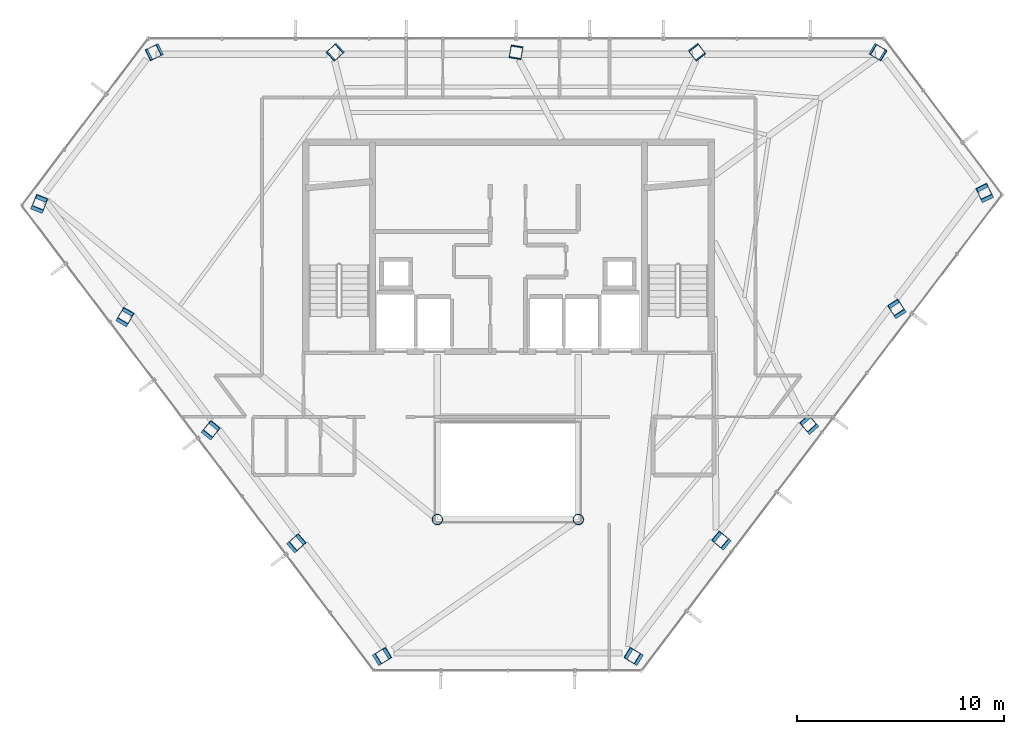
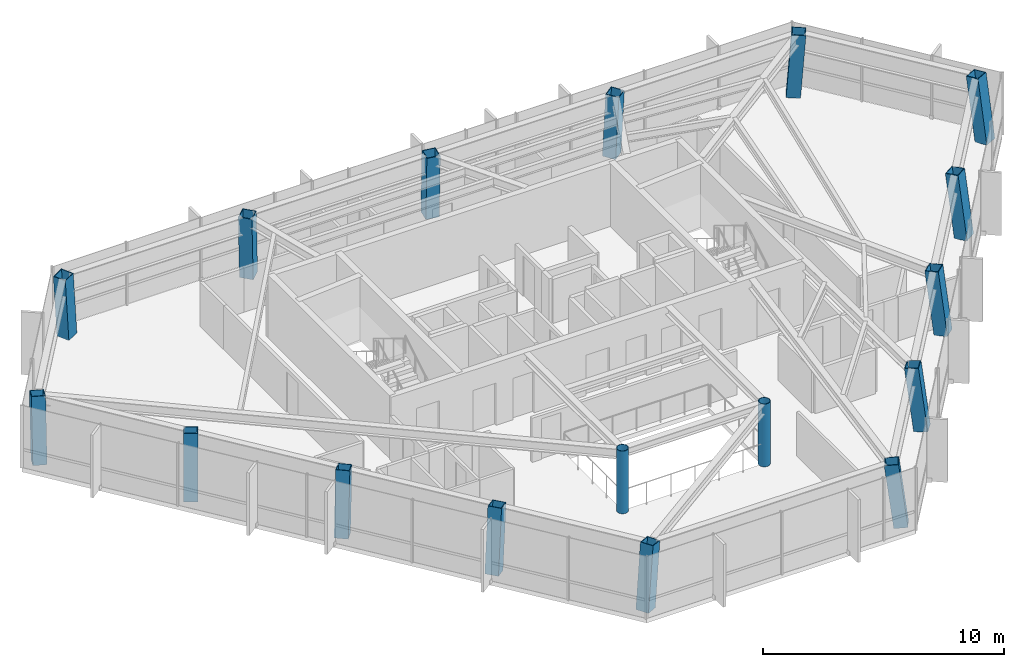
# One storey, part 1 of 27: 17 columns.
"""IFC4 building model written with IfcOpenShell, lengths in metres."""

from ifc_helpers import new_model, si_unit, direction, frame, origin, origin_2d, place, context, subcontext, project, spatial, hollow_rectangle, hollow_circle, extrude, material, material_profile, profile_set, type_object, element, save


model = new_model("IFC4")

# Units and contexts
model_context = context("Model", 3, precision=1e-05, world=origin(), true_north=direction((0.0, 1.0)))
body_context = subcontext(model_context, "Body", "Model", "MODEL_VIEW")
ifc_project = project(units=[si_unit("LENGTHUNIT", "METRE"), si_unit("AREAUNIT", "SQUARE_METRE"), si_unit("VOLUMEUNIT", "CUBIC_METRE"), si_unit("PLANEANGLEUNIT", "RADIAN"), si_unit("MASSUNIT", "GRAM", prefix="KILO")], contexts=[model_context])

# Site, building, storey
site_placement = place(None, origin())
site = spatial("IfcSite", under=ifc_project, at=site_placement, CompositionType="ELEMENT")
building_placement = place(site_placement, origin())
building = spatial("IfcBuilding", under=site, at=building_placement, Name="Zarrinselat Tower", CompositionType="ELEMENT")
storey_placement = place(building_placement, frame((0.0, 0.0, 215.56005859375)))
storey = spatial("IfcBuildingStorey", under=building, at=storey_placement, Name="L53", CompositionType="ELEMENT", Elevation=215.56005859375)

# Columns
ifc_material_1 = material(Name="Steel S355J2", Category="steel")
ifc_material_profile_1 = material_profile(ifc_material_1, hollow_circle(Radius=0.25390625, WallThickness=0.02001953125, at=origin_2d()), Name="CHS 508x20")
ifc_profile_set_1 = profile_set([ifc_material_profile_1], Name="Steel S355J2")
column_type_1 = type_object("IfcColumnType", Name="COL-CHS508", PredefinedType="COLUMN", material=ifc_profile_set_1)
for number, where, z_axis, x_axis, name in (
    (1, (35.0, 25.199951171875, 0.0), (0.0, 0.0, 1.0), (1.0, 0.0, 0.0), "L53 Atrium Corner Column 1"),
    (2, (41.800048828125, 25.199951171875, 0.0), (0.0, 0.0, 1.0), (1.0, 0.0, 0.0), "L53 Atrium Corner Column 2"),
):
    element("IfcColumn", number, at=place(storey_placement, frame(where, z_axis=z_axis, x_axis=x_axis)), inside=storey, type_object=column_type_1, Name=name, PredefinedType="COLUMN", context=body_context, shape_type="SweptSolid", body=[
        extrude(hollow_circle(Radius=0.25390625, WallThickness=0.02001953125, at=origin_2d()), origin(), (0.0, 0.0, 1.0), 3.179931640625),
    ])
ifc_material_2 = material(Name="Steel S355J2", Category="steel")
ifc_material_profile_2 = material_profile(ifc_material_2, hollow_rectangle(XDim=0.60009765625, YDim=0.60009765625, WallThickness=0.030029296875, at=origin_2d()), Name="SHS 600x600x30")
ifc_profile_set_2 = profile_set([ifc_material_profile_2], Name="Steel S355J2")
column_type_2 = type_object("IfcColumnType", Name="COL-SHS600", PredefinedType="COLUMN", material=ifc_profile_set_2)
column_1_placement = place(storey_placement, frame((56.21826171875, 47.760986328125, 0.0), z_axis=(0.06217916272, -0.036603004655, 0.997393589198), x_axis=(0.507298382802, 0.86177047455, 0.0)))
element("IfcColumn", 3, at=column_1_placement, inside=storey, type_object=column_type_2, Name="L53 Framed-Tube Column T01", PredefinedType="COLUMN", context=body_context, shape_type="SweptSolid", body=[
    extrude(hollow_rectangle(XDim=0.60009765625, YDim=0.60009765625, WallThickness=0.030029296875, at=origin_2d()), origin(), (0.0, 0.0, 1.0), 3.188232421875),
])
column_2_placement = place(storey_placement, frame((47.510009765625, 47.760986328125, 0.0), z_axis=(0.028069839988, -0.036659517798, 0.998933513222), x_axis=(0.793980498852, 0.607943227154, 0.0)))
element("IfcColumn", 4, at=column_2_placement, inside=storey, type_object=column_type_2, Name="L53 Framed-Tube Column T02", PredefinedType="COLUMN", context=body_context, shape_type="SweptSolid", body=[
    extrude(hollow_rectangle(XDim=0.60009765625, YDim=0.60009765625, WallThickness=0.030029296875, at=origin_2d()), origin(), (0.0, 0.0, 1.0), 3.183349609375),
])
column_3_placement = place(storey_placement, frame((38.802001953125, 47.760986328125, 0.0), z_axis=(-0.006137787086, -0.036673277842, 0.999308460017), x_axis=(0.986282164302, -0.165068144653, 0.0)))
element("IfcColumn", 5, at=column_3_placement, inside=storey, type_object=column_type_2, Name="L53 Framed-Tube Column T03", PredefinedType="COLUMN", context=body_context, shape_type="SweptSolid", body=[
    extrude(hollow_rectangle(XDim=0.60009765625, YDim=0.60009765625, WallThickness=0.030029296875, at=origin_2d()), origin(), (0.0, 0.0, 1.0), 3.18212890625),
])
column_4_placement = place(storey_placement, frame((30.09375, 47.760986328125, 0.0), z_axis=(-0.040247349512, -0.03664425346, 0.998517575982), x_axis=(0.673233426826, -0.739430019004, 0.0)))
element("IfcColumn", 6, at=column_4_placement, inside=storey, type_object=column_type_2, Name="L53 Framed-Tube Column T04", PredefinedType="COLUMN", context=body_context, shape_type="SweptSolid", body=[
    extrude(hollow_rectangle(XDim=0.60009765625, YDim=0.60009765625, WallThickness=0.030029296875, at=origin_2d()), origin(), (0.0, 0.0, 1.0), 3.1845703125),
])
column_5_placement = place(storey_placement, frame((21.3857421875, 47.760986328125, 0.0), z_axis=(-0.074369002674, -0.03657241078, 0.996559938093), x_axis=(0.441295281394, -0.89736195296, 0.0)))
element("IfcColumn", 7, at=column_5_placement, inside=storey, type_object=column_type_2, Name="L53 Framed-Tube Column T05", PredefinedType="COLUMN", context=body_context, shape_type="SweptSolid", body=[
    extrude(hollow_rectangle(XDim=0.60009765625, YDim=0.60009765625, WallThickness=0.030029296875, at=origin_2d()), origin(), (0.0, 0.0, 1.0), 3.19091796875),
])
column_6_placement = place(storey_placement, frame((15.76904296875, 40.346923828125, 0.0), z_axis=(0.053875568613, 0.132295296129, 0.989745107454), x_axis=(-0.92614742371, 0.377161702131, 0.0)))
element("IfcColumn", 8, at=column_6_placement, inside=storey, type_object=column_type_2, Name="L53 Framed-Tube Column T06", PredefinedType="COLUMN", context=body_context, shape_type="SweptSolid", body=[
    extrude(hollow_rectangle(XDim=0.60009765625, YDim=0.60009765625, WallThickness=0.030029296875, at=origin_2d()), origin(), (0.0, 0.0, 1.0), 3.212890625),
])
column_7_placement = place(storey_placement, frame((19.895263671875, 34.900390625, 0.0), z_axis=(0.066882397684, 0.115427300668, 0.991061694921), x_axis=(-0.865243995377, 0.501351003254, 0.0)))
element("IfcColumn", 9, at=column_7_placement, inside=storey, type_object=column_type_2, Name="L53 Framed-Tube Column T07", PredefinedType="COLUMN", context=body_context, shape_type="SweptSolid", body=[
    extrude(hollow_rectangle(XDim=0.60009765625, YDim=0.60009765625, WallThickness=0.030029296875, at=origin_2d()), origin(), (0.0, 0.0, 1.0), 3.20849609375),
])
column_8_placement = place(storey_placement, frame((24.021484375, 29.45361328125, 0.0), z_axis=(0.079887355875, 0.098469352856, 0.991928322471), x_axis=(-0.776573075006, 0.630027189235, 0.0)))
element("IfcColumn", 10, at=column_8_placement, inside=storey, type_object=column_type_2, Name="L53 Framed-Tube Column T08", PredefinedType="COLUMN", context=body_context, shape_type="SweptSolid", body=[
    extrude(hollow_rectangle(XDim=0.60009765625, YDim=0.60009765625, WallThickness=0.030029296875, at=origin_2d()), origin(), (0.0, 0.0, 1.0), 3.205810546875),
])
column_9_placement = place(storey_placement, frame((28.147705078125, 24.007080078125, 0.0), z_axis=(0.092796960518, 0.081444951391, 0.992348448889), x_axis=(-0.659639689525, 0.751581984885, 0.0)))
element("IfcColumn", 11, at=column_9_placement, inside=storey, type_object=column_type_2, Name="L53 Framed-Tube Column T09", PredefinedType="COLUMN", context=body_context, shape_type="SweptSolid", body=[
    extrude(hollow_rectangle(XDim=0.60009765625, YDim=0.60009765625, WallThickness=0.030029296875, at=origin_2d()), origin(), (0.0, 0.0, 1.0), 3.204345703125),
])
for number, where, z_axis, x_axis, name in (
    (12, (32.27392578125, 18.560546875, 0.0), (0.105745051851, 0.064300305304, 0.992312176055), (-0.519556312539, 0.854436210668, 0.0), "L53 Framed-Tube Column T10"),
    (13, (44.52587890625, 18.560546875, 0.0), (-0.105669717649, 0.064300823141, 0.992320167544), (-0.51982970634, -0.854269908405, 0.0), "L53 Framed-Tube Column T11"),
):
    element("IfcColumn", number, at=place(storey_placement, frame(where, z_axis=z_axis, x_axis=x_axis)), inside=storey, type_object=column_type_2, Name=name, PredefinedType="COLUMN", context=body_context, shape_type="SweptSolid", body=[
        extrude(hollow_rectangle(XDim=0.60009765625, YDim=0.60009765625, WallThickness=0.030029296875, at=origin_2d()), origin(), (0.0, 0.0, 1.0), 3.20458984375),
    ])
column_10_placement = place(storey_placement, frame((48.752685546875, 24.139892578125, 0.0), z_axis=(-0.094322876515, 0.079389690895, 0.992371136191), x_axis=(-0.643945421032, -0.76507143113, 0.0)))
element("IfcColumn", 14, at=column_10_placement, inside=storey, type_object=column_type_2, Name="L53 Framed-Tube Column T12", PredefinedType="COLUMN", context=body_context, shape_type="SweptSolid", body=[
    extrude(hollow_rectangle(XDim=0.60009765625, YDim=0.60009765625, WallThickness=0.030029296875, at=origin_2d()), origin(), (0.0, 0.0, 1.0), 3.204345703125),
])
column_11_placement = place(storey_placement, frame((52.9794921875, 29.718994140625, 0.0), z_axis=(-0.08294530644, 0.094446446268, 0.992068518262), x_axis=(-0.751374273421, -0.659876277222, 0.0)))
element("IfcColumn", 15, at=column_11_placement, inside=storey, type_object=column_type_2, Name="L53 Framed-Tube Column T13", PredefinedType="COLUMN", context=body_context, shape_type="SweptSolid", body=[
    extrude(hollow_rectangle(XDim=0.60009765625, YDim=0.60009765625, WallThickness=0.030029296875, at=origin_2d()), origin(), (0.0, 0.0, 1.0), 3.205322265625),
])
column_12_placement = place(storey_placement, frame((57.206298828125, 35.29833984375, 0.0), z_axis=(-0.071473484837, 0.109455666875, 0.991418679446), x_axis=(-0.837297704248, -0.546747249158, 0.0)))
element("IfcColumn", 16, at=column_12_placement, inside=storey, type_object=column_type_2, Name="L53 Framed-Tube Column T14", PredefinedType="COLUMN", context=body_context, shape_type="SweptSolid", body=[
    extrude(hollow_rectangle(XDim=0.60009765625, YDim=0.60009765625, WallThickness=0.030029296875, at=origin_2d()), origin(), (0.0, 0.0, 1.0), 3.20751953125),
])
column_13_placement = place(storey_placement, frame((61.432861328125, 40.877685546875, 0.0), z_axis=(-0.059995859094, 0.124326019795, 0.99042593751), x_axis=(-0.900618554783, -0.43461042185, 0.0)))
element("IfcColumn", 17, at=column_13_placement, inside=storey, type_object=column_type_2, Name="L53 Framed-Tube Column T15", PredefinedType="COLUMN", context=body_context, shape_type="SweptSolid", body=[
    extrude(hollow_rectangle(XDim=0.60009765625, YDim=0.60009765625, WallThickness=0.030029296875, at=origin_2d()), origin(), (0.0, 0.0, 1.0), 3.210693359375),
])

save(model, "model.ifc")
